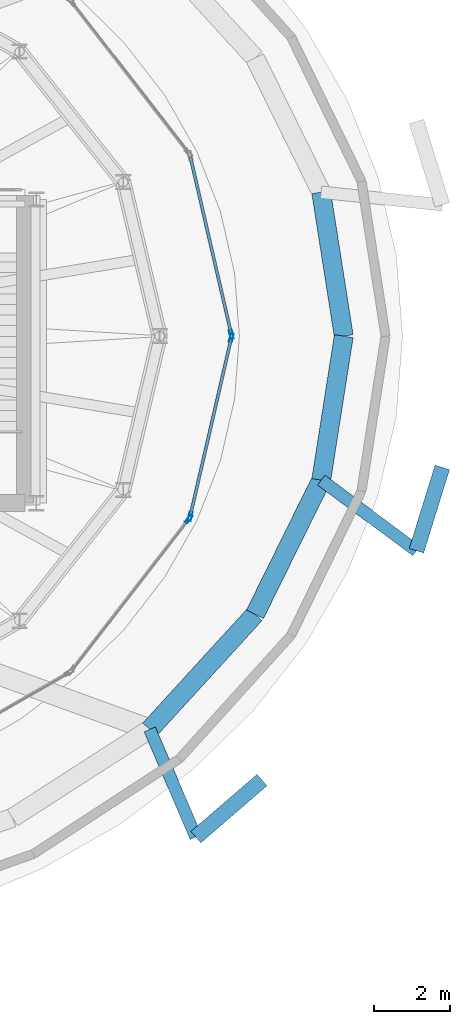
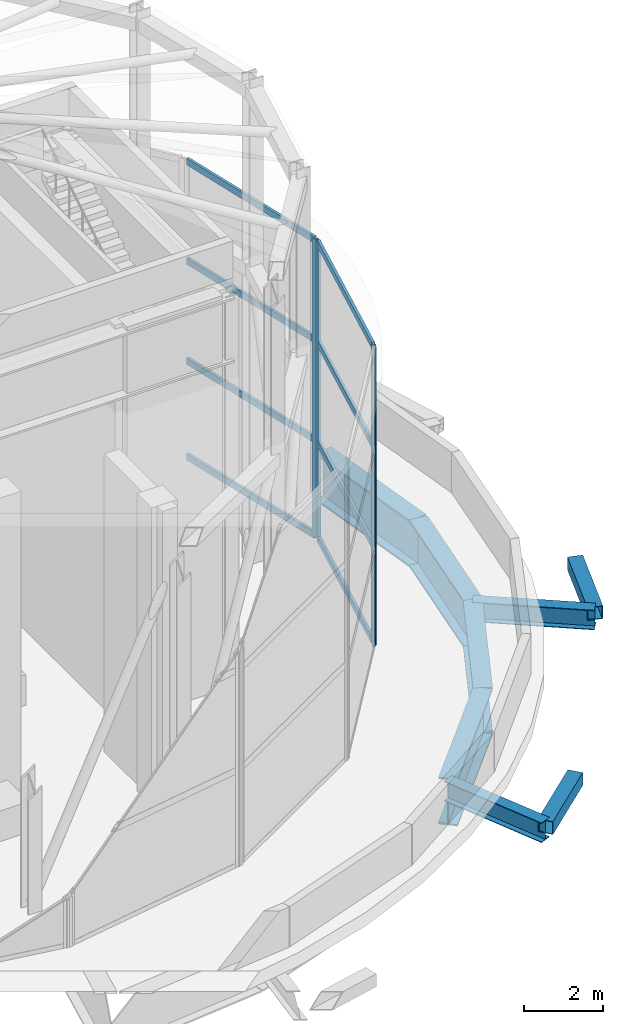
# One storey, part 16 of 22: 12 members, 8 beams, 3 elements without a shape of their own.
"""IFC4 building model written with IfcOpenShell, lengths in metres."""

from ifc_helpers import new_model, si_unit, direction, frame, origin, origin_2d, place, context, subcontext, project, spatial, hollow_rectangle, i_section, extrude, material, layer, layer_set, material_profile, profile_set, type_object, element, aggregate, save


model = new_model("IFC4")

# Units and contexts
model_context = context("Model", 3, precision=1e-05, world=origin(), true_north=direction((0.0, 1.0)))
body_context = subcontext(model_context, "Body", "Model", "MODEL_VIEW")
ifc_project = project(units=[si_unit("LENGTHUNIT", "METRE"), si_unit("AREAUNIT", "SQUARE_METRE"), si_unit("VOLUMEUNIT", "CUBIC_METRE"), si_unit("PLANEANGLEUNIT", "RADIAN"), si_unit("MASSUNIT", "GRAM", prefix="KILO")], contexts=[model_context])

# Site, building, storey
site_placement = place(None, origin())
site = spatial("IfcSite", under=ifc_project, at=site_placement, CompositionType="ELEMENT")
building_placement = place(site_placement, origin())
building = spatial("IfcBuilding", under=site, at=building_placement, Name="Nuhasar Tower", CompositionType="ELEMENT")
storey_placement = place(building_placement, frame((0.0, 0.0, 313.39990234375)))
storey = spatial("IfcBuildingStorey", under=building, at=storey_placement, Name="Roof Drum", CompositionType="ELEMENT", Elevation=313.39990234375)

# Beams
ifc_material_1 = material(Name="Steel S355", Category="steel")
ifc_material_profile_1 = material_profile(ifc_material_1, hollow_rectangle(XDim=0.39990234375, YDim=0.39990234375, WallThickness=0.01611328125, at=origin_2d()), Name="HSS400X400X16")
ifc_profile_set_1 = profile_set([ifc_material_profile_1], Name="Steel S355")
beam_type_1 = type_object("IfcBeamType", Name="BM-CRN-HSS400", PredefinedType="SPANDREL", material=ifc_profile_set_1)
beam_1_placement = place(storey_placement, frame((52.553955078125, 13.60400390625, -0.619873046875), z_axis=(0.757350224271, 0.653008910962, 0.0), x_axis=(-0.653008910962, 0.757350224271, 0.0)))
element("IfcBeam", 1, at=beam_1_placement, inside=storey, type_object=beam_type_1, Name="Roof Drum Top Exoskeleton Collar Beam 11", PredefinedType="SPANDREL", context=body_context, shape_type="SweptSolid", body=[
    extrude(hollow_rectangle(XDim=0.39990234375, YDim=0.39990234375, WallThickness=0.01611328125, at=origin_2d()), origin(), (0.0, 0.0, 1.0), 2.300048828125),
])
beam_2_placement = place(storey_placement, frame((58.364013671875, 21.14697265625, -0.619873046875), z_axis=(0.296539469772, 0.955020598138, 0.0), x_axis=(-0.955020598138, 0.296539469772, 0.0)))
element("IfcBeam", 2, at=beam_2_placement, inside=storey, type_object=beam_type_1, Name="Roof Drum Top Exoskeleton Collar Beam 12", PredefinedType="SPANDREL", context=body_context, shape_type="SweptSolid", body=[
    extrude(hollow_rectangle(XDim=0.39990234375, YDim=0.39990234375, WallThickness=0.01611328125, at=origin_2d()), origin(), (0.0, 0.0, 1.0), 2.299560546875),
])
ifc_material_profile_2 = material_profile(ifc_material_1, i_section(OverallWidth=0.323974609375, OverallDepth=0.611083984375, WebThickness=0.0126953125, FlangeThickness=0.01904296875, at=origin_2d()), Name="W24X104")
ifc_profile_set_2 = profile_set([ifc_material_profile_2], Name="Steel S355")
beam_type_2 = type_object("IfcBeamType", Name="BM-TIE-W24X104", PredefinedType="BEAM", material=ifc_profile_set_2)
beam_3_placement = place(storey_placement, frame((51.339111328125, 16.44091796875, -0.724853515625), z_axis=(0.393651944279, -0.919259564413, 0.0), x_axis=(0.919259564413, 0.393651944279, 0.0)))
element("IfcBeam", 3, at=beam_3_placement, inside=storey, type_object=beam_type_2, Name="Roof Drum Top Exoskeleton Tie Beam 11", PredefinedType="BEAM", context=body_context, shape_type="SweptSolid", body=[
    extrude(i_section(OverallWidth=0.323974609375, OverallDepth=0.611083984375, WebThickness=0.0126953125, FlangeThickness=0.01904296875, at=origin_2d()), origin(), (0.0, 0.0, 1.0), 3.086181640625),
])
beam_4_placement = place(storey_placement, frame((55.85498046875, 23.008056640625, -0.724853515625), z_axis=(0.80316799233, -0.595752613168, 0.0), x_axis=(0.595752613168, 0.80316799233, 0.0)))
element("IfcBeam", 4, at=beam_4_placement, inside=storey, type_object=beam_type_2, Name="Roof Drum Top Exoskeleton Tie Beam 12", PredefinedType="BEAM", context=body_context, shape_type="SweptSolid", body=[
    extrude(i_section(OverallWidth=0.323974609375, OverallDepth=0.611083984375, WebThickness=0.0126953125, FlangeThickness=0.01904296875, at=origin_2d()), origin(), (0.0, 0.0, 1.0), 3.1240234375),
])
ifc_material_2 = material(Name="Steel S460", Category="steel")
ifc_material_profile_3 = material_profile(ifc_material_2, i_section(OverallWidth=0.5, OverallDepth=1.449951171875, WebThickness=0.028076171875, FlangeThickness=0.050048828125, at=origin_2d()), Name="PG1450X500")
ifc_profile_set_3 = profile_set([ifc_material_profile_3], Name="Steel S460")
beam_type_3 = type_object("IfcBeamType", Name="BM-XFER-PG1450", PredefinedType="USERDEFINED", material=ifc_profile_set_3)
beam_5_placement = place(storey_placement, frame((56.449951171875, 26.800048828125, -1.14501953125), z_axis=(-0.155005502158, 0.987913606699, 0.0), x_axis=(-0.987913606699, -0.155005502158, 0.0)))
element("IfcBeam", 5, at=beam_5_placement, inside=storey, type_object=beam_type_3, Name="Roof Drum Outer Setback Spandrel 01", ObjectType="GIRDER", PredefinedType="USERDEFINED", context=body_context, shape_type="SweptSolid", body=[
    extrude(i_section(OverallWidth=0.5, OverallDepth=1.449951171875, WebThickness=0.028076171875, FlangeThickness=0.050048828125, at=origin_2d()), origin(), (0.0, 0.0, 1.0), 3.83837890625),
])
beam_6_placement = place(storey_placement, frame((51.339111328125, 16.44091796875, -1.14501953125), z_axis=(0.674615744009, 0.738169084922, 0.0), x_axis=(-0.738169084922, 0.674615744009, 0.0)))
element("IfcBeam", 6, at=beam_6_placement, inside=storey, type_object=beam_type_3, Name="Roof Drum Outer Setback Spandrel 22", ObjectType="GIRDER", PredefinedType="USERDEFINED", context=body_context, shape_type="SweptSolid", body=[
    extrude(i_section(OverallWidth=0.5, OverallDepth=1.449951171875, WebThickness=0.028076171875, FlangeThickness=0.050048828125, at=origin_2d()), origin(), (0.0, 0.0, 1.0), 4.1103515625),
])
beam_7_placement = place(storey_placement, frame((54.112060546875, 19.47509765625, -1.14501953125), z_axis=(0.442422907363, 0.896806540476, 0.0), x_axis=(-0.896806540476, 0.442422907363, 0.0)))
element("IfcBeam", 7, at=beam_7_placement, inside=storey, type_object=beam_type_3, Name="Roof Drum Outer Setback Spandrel 23", ObjectType="GIRDER", PredefinedType="USERDEFINED", context=body_context, shape_type="SweptSolid", body=[
    extrude(i_section(OverallWidth=0.5, OverallDepth=1.449951171875, WebThickness=0.028076171875, FlangeThickness=0.050048828125, at=origin_2d()), origin(), (0.0, 0.0, 1.0), 3.939453125),
])
beam_8_placement = place(storey_placement, frame((55.85498046875, 23.008056640625, -1.14501953125), z_axis=(0.155005502158, 0.987913606699, 0.0), x_axis=(-0.987913606699, 0.155005502158, 0.0)))
element("IfcBeam", 8, at=beam_8_placement, inside=storey, type_object=beam_type_3, Name="Roof Drum Outer Setback Spandrel 24", ObjectType="GIRDER", PredefinedType="USERDEFINED", context=body_context, shape_type="SweptSolid", body=[
    extrude(i_section(OverallWidth=0.5, OverallDepth=1.449951171875, WebThickness=0.028076171875, FlangeThickness=0.050048828125, at=origin_2d()), origin(), (0.0, 0.0, 1.0), 3.83837890625),
])

# Curtain wall, member
ifc_material_3 = material(Name="Aluminium 6063-T6", Category="aluminium")
ifc_layer = layer(ifc_material_3, 0.219970703125)
ifc_layer_set = layer_set([ifc_layer], Name="Aluminium 6063-T6")
curtain_wall_type = type_object("IfcCurtainWallType", Name="CW-CROWN", PredefinedType="NOTDEFINED", material=ifc_layer_set)
curtain_wall_1_placement = place(storey_placement, origin())
curtain_wall_1 = element("IfcCurtainWall", 9, at=curtain_wall_1_placement, inside=storey, type_object=curtain_wall_type, Name="Crown Lantern Curtain Wall 01", PredefinedType="NOTDEFINED")
ifc_material_profile_4 = material_profile(ifc_material_3, hollow_rectangle(XDim=0.080078125, YDim=0.239990234375, WallThickness=0.0048828125, at=origin_2d()), Name="CWM-7")
ifc_profile_set_4 = profile_set([ifc_material_profile_4], Name="Aluminium 6063-T6")
member_type_1 = type_object("IfcMemberType", Name="CW-MUL-S7", PredefinedType="MULLION", material=ifc_profile_set_4)
member_1_placement = place(storey_placement, frame((53.490966796875, 26.8388671875, 0.0), z_axis=(0.0, 0.0, 1.0), x_axis=(-0.974391195694, -0.2248595067, 0.0)))
member_1 = element("IfcMember", 10, at=member_1_placement, type_object=member_type_1, Name="CW-CR mullion 1", PredefinedType="MULLION", context=body_context, shape_type="SweptSolid", body=[
    extrude(hollow_rectangle(XDim=0.080078125, YDim=0.239990234375, WallThickness=0.0048828125, at=origin_2d()), origin(), (0.0, 0.0, 1.0), 9.22021484375),
])

curtain_wall_2_placement = place(storey_placement, origin())
curtain_wall_2 = element("IfcCurtainWall", 11, at=curtain_wall_2_placement, inside=storey, type_object=curtain_wall_type, Name="Crown Lantern Curtain Wall 15", PredefinedType="NOTDEFINED")
member_2_placement = place(storey_placement, frame((52.37158203125, 21.984375, 0.0), z_axis=(0.0, 0.0, 1.0), x_axis=(-0.79037966023, 0.612617329738, 0.0)))
member_2 = element("IfcMember", 12, at=member_2_placement, type_object=member_type_1, Name="CW-CR mullion 2", PredefinedType="MULLION", context=body_context, shape_type="SweptSolid", body=[
    extrude(hollow_rectangle(XDim=0.080078125, YDim=0.239990234375, WallThickness=0.0048828125, at=origin_2d()), origin(), (0.0, 0.0, 1.0), 9.22021484375),
])
aggregate(curtain_wall_2, [member_2])

# Curtain wall, members
curtain_wall_3_placement = place(storey_placement, origin())
curtain_wall_3 = element("IfcCurtainWall", 13, at=curtain_wall_3_placement, inside=storey, type_object=curtain_wall_type, Name="Crown Lantern Curtain Wall 16", PredefinedType="NOTDEFINED")
member_3_placement = place(storey_placement, frame((52.405029296875, 22.054931640625, 0.0), z_axis=(0.0, 0.0, 1.0), x_axis=(-0.974391195694, 0.2248595067, 0.0)))
member_3 = element("IfcMember", 14, at=member_3_placement, type_object=member_type_1, Name="CW-CR mullion 1", PredefinedType="MULLION", context=body_context, shape_type="SweptSolid", body=[
    extrude(hollow_rectangle(XDim=0.080078125, YDim=0.239990234375, WallThickness=0.0048828125, at=origin_2d()), origin(), (0.0, 0.0, 1.0), 9.22021484375),
])
member_4_placement = place(storey_placement, frame((53.490966796875, 26.760986328125, 0.0), z_axis=(0.0, 0.0, 1.0), x_axis=(-0.974391195694, 0.2248595067, 0.0)))
member_4 = element("IfcMember", 15, at=member_4_placement, type_object=member_type_1, Name="CW-CR mullion 2", PredefinedType="MULLION", context=body_context, shape_type="SweptSolid", body=[
    extrude(hollow_rectangle(XDim=0.080078125, YDim=0.239990234375, WallThickness=0.0048828125, at=origin_2d()), origin(), (0.0, 0.0, 1.0), 9.22021484375),
])

# Member
ifc_material_profile_5 = material_profile(ifc_material_3, hollow_rectangle(XDim=0.080078125, YDim=0.199951171875, WallThickness=0.00439453125, at=origin_2d()), Name="CWT-7")
ifc_profile_set_5 = profile_set([ifc_material_profile_5], Name="Aluminium 6063-T6")
member_type_2 = type_object("IfcMemberType", Name="CW-TRN-S7", PredefinedType="USERDEFINED", material=ifc_profile_set_5)
member_5_placement = place(storey_placement, frame((53.48193359375, 26.8779296875, 0.0400390625), z_axis=(-0.224825720852, 0.974398991812, 0.0), x_axis=(-0.974398991812, -0.224825720852, 0.0)))
member_5 = element("IfcMember", 16, at=member_5_placement, type_object=member_type_2, Name="CW-CR transom 1.1", ObjectType="TRANSOM", PredefinedType="USERDEFINED", context=body_context, shape_type="SweptSolid", body=[
    extrude(hollow_rectangle(XDim=0.080078125, YDim=0.199951171875, WallThickness=0.00439453125, at=origin_2d()), origin(), (0.0, 0.0, 1.0), 4.749755859375),
])

member_6_placement = place(storey_placement, frame((53.48193359375, 26.8779296875, 3.0), z_axis=(-0.224825720852, 0.974398991812, 0.0), x_axis=(-0.974398991812, -0.224825720852, 0.0)))
member_6 = element("IfcMember", 17, at=member_6_placement, type_object=member_type_2, Name="CW-CR transom 1.2", ObjectType="TRANSOM", PredefinedType="USERDEFINED", context=body_context, shape_type="SweptSolid", body=[
    extrude(hollow_rectangle(XDim=0.080078125, YDim=0.199951171875, WallThickness=0.00439453125, at=origin_2d()), origin(), (0.0, 0.0, 1.0), 4.749755859375),
])

member_7_placement = place(storey_placement, frame((53.48193359375, 26.8779296875, 6.10009765625), z_axis=(-0.224825720852, 0.974398991812, 0.0), x_axis=(-0.974398991812, -0.224825720852, 0.0)))
member_7 = element("IfcMember", 18, at=member_7_placement, type_object=member_type_2, Name="CW-CR transom 1.3", ObjectType="TRANSOM", PredefinedType="USERDEFINED", context=body_context, shape_type="SweptSolid", body=[
    extrude(hollow_rectangle(XDim=0.080078125, YDim=0.199951171875, WallThickness=0.00439453125, at=origin_2d()), origin(), (0.0, 0.0, 1.0), 4.749755859375),
])

member_8_placement = place(storey_placement, frame((53.48193359375, 26.8779296875, 9.18017578125), z_axis=(-0.224825720852, 0.974398991812, 0.0), x_axis=(-0.974398991812, -0.224825720852, 0.0)))
member_8 = element("IfcMember", 19, at=member_8_placement, type_object=member_type_2, Name="CW-CR transom 1.4", ObjectType="TRANSOM", PredefinedType="USERDEFINED", context=body_context, shape_type="SweptSolid", body=[
    extrude(hollow_rectangle(XDim=0.080078125, YDim=0.199951171875, WallThickness=0.00439453125, at=origin_2d()), origin(), (0.0, 0.0, 1.0), 4.749755859375),
])

aggregate(curtain_wall_1, [member_1, member_5, member_6, member_7, member_8])

member_9_placement = place(storey_placement, frame((52.4140625, 22.093994140625, 0.0400390625), z_axis=(0.224825720852, 0.974398991812, 0.0), x_axis=(-0.974398991812, 0.224825720852, 0.0)))
member_9 = element("IfcMember", 20, at=member_9_placement, type_object=member_type_2, Name="CW-CR transom 1.1", ObjectType="TRANSOM", PredefinedType="USERDEFINED", context=body_context, shape_type="SweptSolid", body=[
    extrude(hollow_rectangle(XDim=0.080078125, YDim=0.199951171875, WallThickness=0.00439453125, at=origin_2d()), origin(), (0.0, 0.0, 1.0), 4.749755859375),
])

member_10_placement = place(storey_placement, frame((52.4140625, 22.093994140625, 3.0), z_axis=(0.224825720852, 0.974398991812, 0.0), x_axis=(-0.974398991812, 0.224825720852, 0.0)))
member_10 = element("IfcMember", 21, at=member_10_placement, type_object=member_type_2, Name="CW-CR transom 1.2", ObjectType="TRANSOM", PredefinedType="USERDEFINED", context=body_context, shape_type="SweptSolid", body=[
    extrude(hollow_rectangle(XDim=0.080078125, YDim=0.199951171875, WallThickness=0.00439453125, at=origin_2d()), origin(), (0.0, 0.0, 1.0), 4.749755859375),
])

member_11_placement = place(storey_placement, frame((52.4140625, 22.093994140625, 6.10009765625), z_axis=(0.224825720852, 0.974398991812, 0.0), x_axis=(-0.974398991812, 0.224825720852, 0.0)))
member_11 = element("IfcMember", 22, at=member_11_placement, type_object=member_type_2, Name="CW-CR transom 1.3", ObjectType="TRANSOM", PredefinedType="USERDEFINED", context=body_context, shape_type="SweptSolid", body=[
    extrude(hollow_rectangle(XDim=0.080078125, YDim=0.199951171875, WallThickness=0.00439453125, at=origin_2d()), origin(), (0.0, 0.0, 1.0), 4.749755859375),
])

member_12_placement = place(storey_placement, frame((52.4140625, 22.093994140625, 9.18017578125), z_axis=(0.224825720852, 0.974398991812, 0.0), x_axis=(-0.974398991812, 0.224825720852, 0.0)))
member_12 = element("IfcMember", 23, at=member_12_placement, type_object=member_type_2, Name="CW-CR transom 1.4", ObjectType="TRANSOM", PredefinedType="USERDEFINED", context=body_context, shape_type="SweptSolid", body=[
    extrude(hollow_rectangle(XDim=0.080078125, YDim=0.199951171875, WallThickness=0.00439453125, at=origin_2d()), origin(), (0.0, 0.0, 1.0), 4.749755859375),
])

aggregate(curtain_wall_3, [member_3, member_4, member_9, member_10, member_11, member_12])

save(model, "model.ifc")
